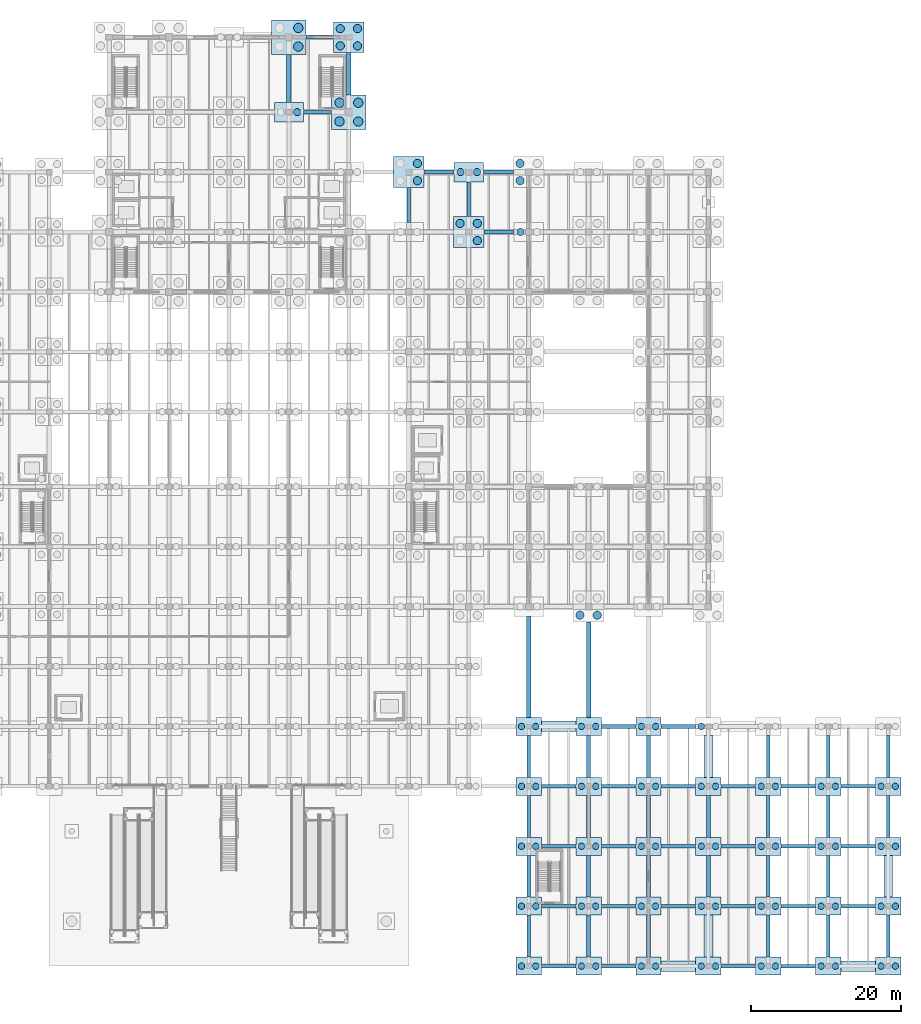
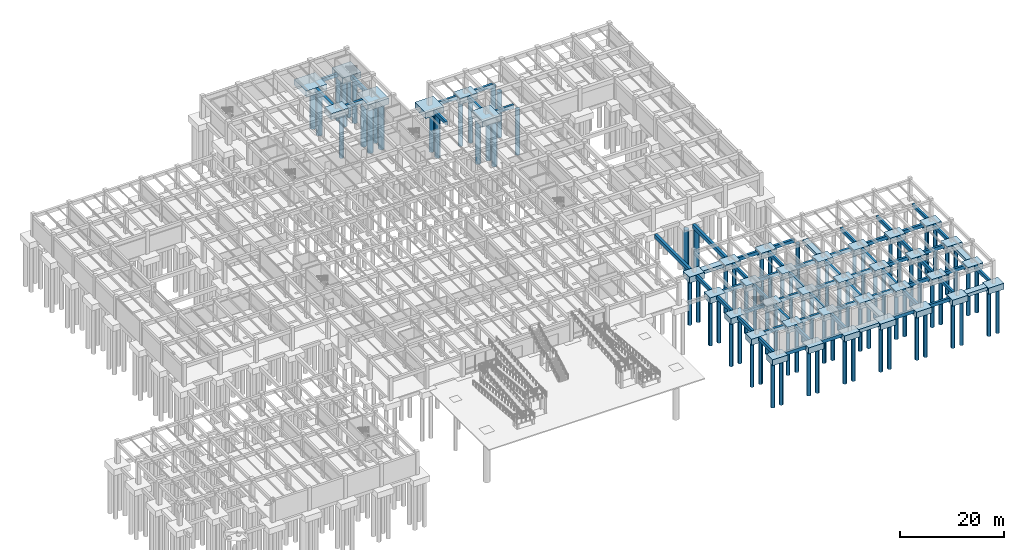
# One storey, part 7 of 44: 104 footings, 86 piles.
"""IFC4 building model written with IfcOpenShell, lengths in metres."""

from ifc_helpers import new_model, si_unit, direction, frame, origin, origin_2d, place, context, subcontext, project, spatial, rectangle, circle, extrude, material, material_profile, profile_set, type_object, element, save


model = new_model("IFC4")

# Units and contexts
model_context = context("Model", 3, precision=1e-05, world=origin(), true_north=direction((0.0, 1.0)))
body_context = subcontext(model_context, "Body", "Model", "MODEL_VIEW")
ifc_project = project(units=[si_unit("LENGTHUNIT", "METRE"), si_unit("AREAUNIT", "SQUARE_METRE"), si_unit("VOLUMEUNIT", "CUBIC_METRE"), si_unit("PLANEANGLEUNIT", "RADIAN"), si_unit("MASSUNIT", "GRAM", prefix="KILO")], contexts=[model_context])

# Site, building, storey
site_placement = place(None, origin())
site = spatial("IfcSite", under=ifc_project, at=site_placement, CompositionType="ELEMENT")
building_placement = place(site_placement, origin())
building = spatial("IfcBuilding", under=site, at=building_placement, Name="Pecanmere Concourse Central Library", CompositionType="ELEMENT")
storey_placement = place(building_placement, frame((0.0, 0.0, -5.39990234375)))
storey = spatial("IfcBuildingStorey", under=building, at=storey_placement, Name="B1", CompositionType="ELEMENT", Elevation=-5.39990234375)

# Footings
ifc_material_1 = material(Name="Concrete C40/50", Category="concrete")
ifc_material_profile_1 = material_profile(ifc_material_1, rectangle(XDim=0.5, YDim=0.800048828125, at=origin_2d()), Name="RC 500x800")
ifc_profile_set_1 = profile_set([ifc_material_profile_1], Name="Concrete C40/50")
footing_type_1 = type_object("IfcFootingType", Name="GBEAM_500x800", PredefinedType="FOOTING_BEAM", material=ifc_profile_set_1)
for number, where, z_axis, x_axis, name in (
    (1, (132.0, 0.0, -0.80029296875), (0.0, 0.0, 1.0), (1.0, 0.0, 0.0), "Foundation Tie Beam X-007"),
    (2, (140.0, 0.0, -0.80029296875), (0.0, 0.0, 1.0), (1.0, 0.0, 0.0), "Foundation Tie Beam X-008"),
    (3, (156.0, 0.0, -0.80029296875), (0.0, 0.0, 1.0), (1.0, 0.0, 0.0), "Foundation Tie Beam X-010"),
    (4, (164.0, 0.0, -0.80029296875), (0.0, 0.0, 1.0), (1.0, 0.0, 0.0), "Foundation Tie Beam X-011"),
    (5, (132.0, 8.0, -0.80029296875), (0.0, 0.0, 1.0), (1.0, 0.0, 0.0), "Foundation Tie Beam X-019"),
    (6, (140.0, 8.0, -0.80029296875), (0.0, 0.0, 1.0), (1.0, 0.0, 0.0), "Foundation Tie Beam X-020"),
    (7, (148.0, 8.0, -0.80029296875), (0.0, 0.0, 1.0), (1.0, 0.0, 0.0), "Foundation Tie Beam X-021"),
    (8, (156.0, 8.0, -0.80029296875), (0.0, 0.0, 1.0), (1.0, 0.0, 0.0), "Foundation Tie Beam X-022"),
    (9, (164.0, 8.0, -0.80029296875), (0.0, 0.0, 1.0), (1.0, 0.0, 0.0), "Foundation Tie Beam X-023"),
    (10, (172.0, 8.0, -0.80029296875), (0.0, 0.0, 1.0), (1.0, 0.0, 0.0), "Foundation Tie Beam X-024"),
    (11, (132.0, 16.0, -0.80029296875), (0.0, 0.0, 1.0), (1.0, 0.0, 0.0), "Foundation Tie Beam X-031"),
    (12, (140.0, 16.0, -0.80029296875), (0.0, 0.0, 1.0), (1.0, 0.0, 0.0), "Foundation Tie Beam X-032"),
    (13, (148.0, 16.0, -0.80029296875), (0.0, 0.0, 1.0), (1.0, 0.0, 0.0), "Foundation Tie Beam X-033"),
    (14, (156.0, 16.0, -0.80029296875), (0.0, 0.0, 1.0), (1.0, 0.0, 0.0), "Foundation Tie Beam X-034"),
    (15, (164.0, 16.0, -0.80029296875), (0.0, 0.0, 1.0), (1.0, 0.0, 0.0), "Foundation Tie Beam X-035"),
    (16, (172.0, 16.0, -0.80029296875), (0.0, 0.0, 1.0), (1.0, 0.0, 0.0), "Foundation Tie Beam X-036"),
    (17, (132.0, 24.0, -0.80029296875), (0.0, 0.0, 1.0), (1.0, 0.0, 0.0), "Foundation Tie Beam X-053"),
    (18, (140.0, 24.0, -0.80029296875), (0.0, 0.0, 1.0), (1.0, 0.0, 0.0), "Foundation Tie Beam X-054"),
    (19, (148.0, 24.0, -0.80029296875), (0.0, 0.0, 1.0), (1.0, 0.0, 0.0), "Foundation Tie Beam X-055"),
    (20, (156.0, 24.0, -0.80029296875), (0.0, 0.0, 1.0), (1.0, 0.0, 0.0), "Foundation Tie Beam X-056"),
    (21, (164.0, 24.0, -0.80029296875), (0.0, 0.0, 1.0), (1.0, 0.0, 0.0), "Foundation Tie Beam X-057"),
    (22, (172.0, 24.0, -0.80029296875), (0.0, 0.0, 1.0), (1.0, 0.0, 0.0), "Foundation Tie Beam X-058"),
    (23, (140.0, 32.0, -0.80029296875), (0.0, 0.0, 1.0), (1.0, 0.0, 0.0), "Foundation Tie Beam X-076"),
    (24, (148.0, 32.0, -0.80029296875), (0.0, 0.0, 1.0), (1.0, 0.0, 0.0), "Foundation Tie Beam X-077"),
):
    element("IfcFooting", number, at=place(storey_placement, frame(where, z_axis=z_axis, x_axis=x_axis)), inside=storey, type_object=footing_type_1, Name=name, PredefinedType="FOOTING_BEAM", context=body_context, shape_type="SweptSolid", body=[
        extrude(rectangle(XDim=4.60009765625, YDim=0.5, at=origin_2d()), origin(), (0.0, 0.0, 1.0), 0.800048828125),
    ])
for number, where, z_axis, x_axis, name in (
    (25, (124.050048828125, 98.0, -0.80029296875), (0.0, 0.0, 1.0), (1.0, 0.0, 0.0), "Foundation Tie Beam X-193"),
    (26, (116.050048828125, 106.0, -0.80029296875), (0.0, 0.0, 1.0), (1.0, 0.0, 0.0), "Foundation Tie Beam X-208"),
    (27, (123.949951171875, 106.0, -0.80029296875), (0.0, 0.0, 1.0), (1.0, 0.0, 0.0), "Foundation Tie Beam X-209"),
):
    element("IfcFooting", number, at=place(storey_placement, frame(where, z_axis=z_axis, x_axis=x_axis)), inside=storey, type_object=footing_type_1, Name=name, PredefinedType="FOOTING_BEAM", context=body_context, shape_type="SweptSolid", body=[
        extrude(rectangle(XDim=4.0, YDim=0.5, at=origin_2d()), origin(), (0.0, 0.0, 1.0), 0.800048828125),
    ])
footing_1_placement = place(storey_placement, frame((99.824951171875, 114.0, -0.80029296875), z_axis=(0.0, 0.0, 1.0), x_axis=(1.0, 0.0, 0.0)))
element("IfcFooting", 28, at=footing_1_placement, inside=storey, type_object=footing_type_1, Name="Foundation Tie Beam X-216", PredefinedType="FOOTING_BEAM", context=body_context, shape_type="SweptSolid", body=[
    extrude(rectangle(XDim=3.75, YDim=0.5, at=origin_2d()), origin(), (0.0, 0.0, 1.0), 0.800048828125),
])
footing_2_placement = place(storey_placement, frame((100.125, 124.0, -0.80029296875), z_axis=(0.0, 0.0, 1.0), x_axis=(1.0, 0.0, 0.0)))
element("IfcFooting", 29, at=footing_2_placement, inside=storey, type_object=footing_type_1, Name="Foundation Tie Beam X-220", PredefinedType="FOOTING_BEAM", context=body_context, shape_type="SweptSolid", body=[
    extrude(rectangle(XDim=3.64990234375, YDim=0.5, at=origin_2d()), origin(), (0.0, 0.0, 1.0), 0.800048828125),
])
for number, where, z_axis, x_axis, name in (
    (30, (112.0, 101.625, -0.80029296875), (0.0, 0.0, 1.0), (0.0, 1.0, 0.0), "Foundation Tie Beam Y-367"),
    (31, (120.0, 102.375, -0.80029296875), (0.0, 0.0, 1.0), (0.0, 1.0, 0.0), "Foundation Tie Beam Y-377"),
):
    element("IfcFooting", number, at=place(storey_placement, frame(where, z_axis=z_axis, x_axis=x_axis)), inside=storey, type_object=footing_type_1, Name=name, PredefinedType="FOOTING_BEAM", context=body_context, shape_type="SweptSolid", body=[
        extrude(rectangle(XDim=4.64990234375, YDim=0.5, at=origin_2d()), origin(), (0.0, 0.0, 1.0), 0.800048828125),
    ])
for number, where, z_axis, x_axis, name in (
    (32, (128.0, 4.0, -0.80029296875), (0.0, 0.0, 1.0), (0.0, 1.0, 0.0), "Foundation Tie Beam Y-378"),
    (33, (128.0, 12.0, -0.80029296875), (0.0, 0.0, 1.0), (0.0, 1.0, 0.0), "Foundation Tie Beam Y-379"),
    (34, (128.0, 20.0, -0.80029296875), (0.0, 0.0, 1.0), (0.0, 1.0, 0.0), "Foundation Tie Beam Y-380"),
    (35, (128.0, 28.0, -0.80029296875), (0.0, 0.0, 1.0), (0.0, 1.0, 0.0), "Foundation Tie Beam Y-381"),
    (36, (136.0, 4.0, -0.80029296875), (0.0, 0.0, 1.0), (0.0, 1.0, 0.0), "Foundation Tie Beam Y-390"),
    (37, (136.0, 12.0, -0.80029296875), (0.0, 0.0, 1.0), (0.0, 1.0, 0.0), "Foundation Tie Beam Y-391"),
    (38, (136.0, 20.0, -0.80029296875), (0.0, 0.0, 1.0), (0.0, 1.0, 0.0), "Foundation Tie Beam Y-392"),
    (39, (136.0, 28.0, -0.80029296875), (0.0, 0.0, 1.0), (0.0, 1.0, 0.0), "Foundation Tie Beam Y-393"),
    (40, (144.0, 4.0, -0.80029296875), (0.0, 0.0, 1.0), (0.0, 1.0, 0.0), "Foundation Tie Beam Y-399"),
    (41, (144.0, 12.0, -0.80029296875), (0.0, 0.0, 1.0), (0.0, 1.0, 0.0), "Foundation Tie Beam Y-400"),
    (42, (144.0, 20.0, -0.80029296875), (0.0, 0.0, 1.0), (0.0, 1.0, 0.0), "Foundation Tie Beam Y-401"),
    (43, (144.0, 28.0, -0.80029296875), (0.0, 0.0, 1.0), (0.0, 1.0, 0.0), "Foundation Tie Beam Y-402"),
    (44, (152.0, 12.0, -0.80029296875), (0.0, 0.0, 1.0), (0.0, 1.0, 0.0), "Foundation Tie Beam Y-412"),
    (45, (152.0, 20.0, -0.80029296875), (0.0, 0.0, 1.0), (0.0, 1.0, 0.0), "Foundation Tie Beam Y-413"),
    (46, (160.0, 4.0, -0.80029296875), (0.0, 0.0, 1.0), (0.0, 1.0, 0.0), "Foundation Tie Beam Y-423"),
    (47, (160.0, 12.0, -0.80029296875), (0.0, 0.0, 1.0), (0.0, 1.0, 0.0), "Foundation Tie Beam Y-424"),
    (48, (160.0, 20.0, -0.80029296875), (0.0, 0.0, 1.0), (0.0, 1.0, 0.0), "Foundation Tie Beam Y-425"),
    (49, (160.0, 28.0, -0.80029296875), (0.0, 0.0, 1.0), (0.0, 1.0, 0.0), "Foundation Tie Beam Y-426"),
    (50, (168.0, 4.0, -0.80029296875), (0.0, 0.0, 1.0), (0.0, 1.0, 0.0), "Foundation Tie Beam Y-427"),
    (51, (168.0, 12.0, -0.80029296875), (0.0, 0.0, 1.0), (0.0, 1.0, 0.0), "Foundation Tie Beam Y-428"),
    (52, (168.0, 20.0, -0.80029296875), (0.0, 0.0, 1.0), (0.0, 1.0, 0.0), "Foundation Tie Beam Y-429"),
    (53, (168.0, 28.0, -0.80029296875), (0.0, 0.0, 1.0), (0.0, 1.0, 0.0), "Foundation Tie Beam Y-430"),
    (54, (176.0, 4.0, -0.80029296875), (0.0, 0.0, 1.0), (0.0, 1.0, 0.0), "Foundation Tie Beam Y-431"),
    (55, (176.0, 20.0, -0.80029296875), (0.0, 0.0, 1.0), (0.0, 1.0, 0.0), "Foundation Tie Beam Y-433"),
    (56, (176.0, 28.0, -0.80029296875), (0.0, 0.0, 1.0), (0.0, 1.0, 0.0), "Foundation Tie Beam Y-434"),
):
    element("IfcFooting", number, at=place(storey_placement, frame(where, z_axis=z_axis, x_axis=x_axis)), inside=storey, type_object=footing_type_1, Name=name, PredefinedType="FOOTING_BEAM", context=body_context, shape_type="SweptSolid", body=[
        extrude(rectangle(XDim=5.60009765625, YDim=0.5, at=origin_2d()), origin(), (0.0, 0.0, 1.0), 0.800048828125),
    ])
ifc_material_2 = material(Name="Concrete C40/50", Category="concrete")
ifc_material_profile_2 = material_profile(ifc_material_2, rectangle(XDim=0.60009765625, YDim=0.89990234375, at=origin_2d()), Name="RC 600x900")
ifc_profile_set_2 = profile_set([ifc_material_profile_2], Name="Concrete C40/50")
footing_type_2 = type_object("IfcFootingType", Name="GBEAM_600x900", PredefinedType="FOOTING_BEAM", material=ifc_profile_set_2)
footing_3_placement = place(storey_placement, frame((96.0, 118.5, -0.900146484375), z_axis=(0.0, 0.0, 1.0), x_axis=(0.0, 1.0, 0.0)))
element("IfcFooting", 57, at=footing_3_placement, inside=storey, type_object=footing_type_2, Name="Foundation Tie Beam Y-345", PredefinedType="FOOTING_BEAM", context=body_context, shape_type="SweptSolid", body=[
    extrude(rectangle(XDim=6.39990234375, YDim=0.60009765625, at=origin_2d()), origin(), (0.0, 0.0, 1.0), 0.89990234375),
])
footing_4_placement = place(storey_placement, frame((104.0, 119.125, -0.900146484375), z_axis=(0.0, 0.0, 1.0), x_axis=(0.0, 1.0, 0.0)))
element("IfcFooting", 58, at=footing_4_placement, inside=storey, type_object=footing_type_2, Name="Foundation Tie Beam Y-357", PredefinedType="FOOTING_BEAM", context=body_context, shape_type="SweptSolid", body=[
    extrude(rectangle(XDim=5.64990234375, YDim=0.60009765625, at=origin_2d()), origin(), (0.0, 0.0, 1.0), 0.89990234375),
])
footing_5_placement = place(storey_placement, frame((128.0, 39.949951171875, -0.900146484375), z_axis=(0.0, 0.0, 1.0), x_axis=(0.0, 1.0, 0.0)))
element("IfcFooting", 59, at=footing_5_placement, inside=storey, type_object=footing_type_2, Name="Foundation Tie Beam Y-382", PredefinedType="FOOTING_BEAM", context=body_context, shape_type="SweptSolid", body=[
    extrude(rectangle(XDim=13.5, YDim=0.60009765625, at=origin_2d()), origin(), (0.0, 0.0, 1.0), 0.89990234375),
])
footing_6_placement = place(storey_placement, frame((136.0, 39.574951171875, -0.900146484375), z_axis=(0.0, 0.0, 1.0), x_axis=(0.0, 1.0, 0.0)))
element("IfcFooting", 60, at=footing_6_placement, inside=storey, type_object=footing_type_2, Name="Foundation Tie Beam Y-394", PredefinedType="FOOTING_BEAM", context=body_context, shape_type="SweptSolid", body=[
    extrude(rectangle(XDim=12.75, YDim=0.60009765625, at=origin_2d()), origin(), (0.0, 0.0, 1.0), 0.89990234375),
])
ifc_material_3 = material(Name="Concrete C40/50", Category="concrete")
footing_type_3 = type_object("IfcFootingType", Name="PCAP_3400x2400", PredefinedType="PILE_CAP", material=ifc_material_3)
for number, where, z_axis, x_axis, name in (
    (61, (128.0, 0.0, -1.400146484375), (0.0, 0.0, 1.0), (1.0, 0.0, 0.0), "Drilled Pier Cap PC-05 at (128,0)"),
    (62, (128.0, 8.0, -1.400146484375), (0.0, 0.0, 1.0), (1.0, 0.0, 0.0), "Drilled Pier Cap PC-05 at (128,8)"),
    (63, (128.0, 16.0, -1.400146484375), (0.0, 0.0, 1.0), (1.0, 0.0, 0.0), "Drilled Pier Cap PC-05 at (128,16)"),
    (64, (128.0, 24.0, -1.400146484375), (0.0, 0.0, 1.0), (1.0, 0.0, 0.0), "Drilled Pier Cap PC-05 at (128,24)"),
    (65, (128.0, 32.0, -1.400146484375), (0.0, 0.0, 1.0), (1.0, 0.0, 0.0), "Drilled Pier Cap PC-05 at (128,32)"),
    (66, (136.0, 0.0, -1.400146484375), (0.0, 0.0, 1.0), (1.0, 0.0, 0.0), "Drilled Pier Cap PC-05 at (136,0)"),
    (67, (136.0, 8.0, -1.400146484375), (0.0, 0.0, 1.0), (1.0, 0.0, 0.0), "Drilled Pier Cap PC-05 at (136,8)"),
    (68, (136.0, 16.0, -1.400146484375), (0.0, 0.0, 1.0), (1.0, 0.0, 0.0), "Drilled Pier Cap PC-05 at (136,16)"),
    (69, (136.0, 24.0, -1.400146484375), (0.0, 0.0, 1.0), (1.0, 0.0, 0.0), "Drilled Pier Cap PC-05 at (136,24)"),
    (70, (136.0, 32.0, -1.400146484375), (0.0, 0.0, 1.0), (1.0, 0.0, 0.0), "Drilled Pier Cap PC-05 at (136,32)"),
    (71, (144.0, 0.0, -1.400146484375), (0.0, 0.0, 1.0), (1.0, 0.0, 0.0), "Drilled Pier Cap PC-05 at (144,0)"),
    (72, (144.0, 8.0, -1.400146484375), (0.0, 0.0, 1.0), (1.0, 0.0, 0.0), "Drilled Pier Cap PC-05 at (144,8)"),
    (73, (144.0, 16.0, -1.400146484375), (0.0, 0.0, 1.0), (1.0, 0.0, 0.0), "Drilled Pier Cap PC-05 at (144,16)"),
    (74, (144.0, 24.0, -1.400146484375), (0.0, 0.0, 1.0), (1.0, 0.0, 0.0), "Drilled Pier Cap PC-05 at (144,24)"),
    (75, (144.0, 32.0, -1.400146484375), (0.0, 0.0, 1.0), (1.0, 0.0, 0.0), "Drilled Pier Cap PC-05 at (144,32)"),
    (76, (152.0, 0.0, -1.400146484375), (0.0, 0.0, 1.0), (1.0, 0.0, 0.0), "Drilled Pier Cap PC-05 at (152,0)"),
    (77, (152.0, 8.0, -1.400146484375), (0.0, 0.0, 1.0), (1.0, 0.0, 0.0), "Drilled Pier Cap PC-05 at (152,8)"),
    (78, (152.0, 16.0, -1.400146484375), (0.0, 0.0, 1.0), (1.0, 0.0, 0.0), "Drilled Pier Cap PC-05 at (152,16)"),
    (79, (152.0, 24.0, -1.400146484375), (0.0, 0.0, 1.0), (1.0, 0.0, 0.0), "Drilled Pier Cap PC-05 at (152,24)"),
    (80, (160.0, 0.0, -1.400146484375), (0.0, 0.0, 1.0), (1.0, 0.0, 0.0), "Drilled Pier Cap PC-05 at (160,0)"),
    (81, (160.0, 8.0, -1.400146484375), (0.0, 0.0, 1.0), (1.0, 0.0, 0.0), "Drilled Pier Cap PC-05 at (160,8)"),
    (82, (160.0, 16.0, -1.400146484375), (0.0, 0.0, 1.0), (1.0, 0.0, 0.0), "Drilled Pier Cap PC-05 at (160,16)"),
    (83, (160.0, 24.0, -1.400146484375), (0.0, 0.0, 1.0), (1.0, 0.0, 0.0), "Drilled Pier Cap PC-05 at (160,24)"),
    (84, (168.0, 0.0, -1.400146484375), (0.0, 0.0, 1.0), (1.0, 0.0, 0.0), "Drilled Pier Cap PC-05 at (168,0)"),
    (85, (168.0, 8.0, -1.400146484375), (0.0, 0.0, 1.0), (1.0, 0.0, 0.0), "Drilled Pier Cap PC-05 at (168,8)"),
    (86, (168.0, 16.0, -1.400146484375), (0.0, 0.0, 1.0), (1.0, 0.0, 0.0), "Drilled Pier Cap PC-05 at (168,16)"),
    (87, (168.0, 24.0, -1.400146484375), (0.0, 0.0, 1.0), (1.0, 0.0, 0.0), "Drilled Pier Cap PC-05 at (168,24)"),
    (88, (176.0, 0.0, -1.400146484375), (0.0, 0.0, 1.0), (1.0, 0.0, 0.0), "Drilled Pier Cap PC-05 at (176,0)"),
    (89, (176.0, 8.0, -1.400146484375), (0.0, 0.0, 1.0), (1.0, 0.0, 0.0), "Drilled Pier Cap PC-05 at (176,8)"),
    (90, (176.0, 16.0, -1.400146484375), (0.0, 0.0, 1.0), (1.0, 0.0, 0.0), "Drilled Pier Cap PC-05 at (176,16)"),
    (91, (176.0, 24.0, -1.400146484375), (0.0, 0.0, 1.0), (1.0, 0.0, 0.0), "Drilled Pier Cap PC-05 at (176,24)"),
):
    element("IfcFooting", number, at=place(storey_placement, frame(where, z_axis=z_axis, x_axis=x_axis)), inside=storey, type_object=footing_type_3, Name=name, PredefinedType="PILE_CAP", context=body_context, shape_type="SweptSolid", body=[
        extrude(rectangle(XDim=3.39990234375, YDim=2.39990234375, at=origin_2d()), origin(), (0.0, 0.0, 1.0), 1.39990234375),
    ])
ifc_material_4 = material(Name="Concrete C40/50", Category="concrete")
footing_type_4 = type_object("IfcFootingType", Name="PCAP_3900x2600", PredefinedType="PILE_CAP", material=ifc_material_4)
for number, where, z_axis, x_axis, name in (
    (92, (96.0, 114.0, -1.400146484375), (0.0, 0.0, 1.0), (1.0, 0.0, 0.0), "Drilled Pier Cap PC-04 at (96,114)"),
    (93, (120.0, 106.0, -1.400146484375), (0.0, 0.0, 1.0), (1.0, 0.0, 0.0), "Drilled Pier Cap PC-04 at (120,106)"),
):
    element("IfcFooting", number, at=place(storey_placement, frame(where, z_axis=z_axis, x_axis=x_axis)), inside=storey, type_object=footing_type_4, Name=name, PredefinedType="PILE_CAP", context=body_context, shape_type="SweptSolid", body=[
        extrude(rectangle(XDim=3.89990234375, YDim=2.60009765625, at=origin_2d()), origin(), (0.0, 0.0, 1.0), 1.39990234375),
    ])
ifc_material_5 = material(Name="Concrete C40/50", Category="concrete")
footing_type_5 = type_object("IfcFootingType", Name="PCAP_4100x4100", PredefinedType="PILE_CAP", material=ifc_material_5)
for number, where, z_axis, x_axis, name in (
    (94, (104.0, 124.0, -1.400146484375), (0.0, 0.0, 1.0), (1.0, 0.0, 0.0), "Drilled Pier Cap PC-02 at (104,124)"),
    (95, (112.0, 106.0, -1.400146484375), (0.0, 0.0, 1.0), (1.0, 0.0, 0.0), "Drilled Pier Cap PC-02 at (112,106)"),
    (96, (120.0, 98.0, -1.400146484375), (0.0, 0.0, 1.0), (1.0, 0.0, 0.0), "Drilled Pier Cap PC-02 at (120,98)"),
):
    element("IfcFooting", number, at=place(storey_placement, frame(where, z_axis=z_axis, x_axis=x_axis)), inside=storey, type_object=footing_type_5, Name=name, PredefinedType="PILE_CAP", context=body_context, shape_type="SweptSolid", body=[
        extrude(rectangle(XDim=4.10009765625, YDim=4.10009765625, at=origin_2d()), origin(), (0.0, 0.0, 1.0), 1.39990234375),
    ])
ifc_material_6 = material(Name="Concrete C40/50", Category="concrete")
footing_type_6 = type_object("IfcFootingType", Name="PCAP_4600x4600", PredefinedType="PILE_CAP", material=ifc_material_6)
for number, where, z_axis, x_axis, name in (
    (97, (96.0, 124.0, -1.400146484375), (0.0, 0.0, 1.0), (1.0, 0.0, 0.0), "Drilled Pier Cap PC-01 at (96,124)"),
    (98, (104.0, 114.0, -1.400146484375), (0.0, 0.0, 1.0), (1.0, 0.0, 0.0), "Drilled Pier Cap PC-01 at (104,114)"),
):
    element("IfcFooting", number, at=place(storey_placement, frame(where, z_axis=z_axis, x_axis=x_axis)), inside=storey, type_object=footing_type_6, Name=name, PredefinedType="PILE_CAP", context=body_context, shape_type="SweptSolid", body=[
        extrude(rectangle(XDim=4.60009765625, YDim=4.60009765625, at=origin_2d()), origin(), (0.0, 0.0, 1.0), 1.39990234375),
    ])

# Piles
ifc_material_7 = material(Name="Concrete C35/45", Category="concrete")
ifc_material_profile_3 = material_profile(ifc_material_7, circle(Radius=0.550048828125, at=origin_2d()), Name="PIER D1100")
ifc_profile_set_3 = profile_set([ifc_material_profile_3], Name="Concrete C35/45")
pile_type_1 = type_object("IfcPileType", Name="PILE_D1100", PredefinedType="BORED", material=ifc_profile_set_3)
for number, where, z_axis, x_axis, name in (
    (99, (102.85009765625, 122.85009765625, -1.300048828125), (0.0, 0.0, -1.0), (1.0, 0.0, 0.0), "Bored Pier PL-03 152.1"),
    (100, (105.14990234375, 122.85009765625, -1.300048828125), (0.0, 0.0, -1.0), (1.0, 0.0, 0.0), "Bored Pier PL-03 152.2"),
    (101, (102.85009765625, 125.14990234375, -1.300048828125), (0.0, 0.0, -1.0), (1.0, 0.0, 0.0), "Bored Pier PL-03 152.3"),
    (102, (105.14990234375, 125.14990234375, -1.300048828125), (0.0, 0.0, -1.0), (1.0, 0.0, 0.0), "Bored Pier PL-03 152.4"),
    (103, (113.14990234375, 104.85009765625, -1.300048828125), (0.0, 0.0, -1.0), (1.0, 0.0, 0.0), "Bored Pier PL-03 163.2"),
    (104, (113.14990234375, 107.14990234375, -1.300048828125), (0.0, 0.0, -1.0), (1.0, 0.0, 0.0), "Bored Pier PL-03 163.4"),
    (105, (121.14990234375, 96.85009765625, -1.300048828125), (0.0, 0.0, -1.0), (1.0, 0.0, 0.0), "Bored Pier PL-03 173.2"),
    (106, (118.85009765625, 99.14990234375, -1.300048828125), (0.0, 0.0, -1.0), (1.0, 0.0, 0.0), "Bored Pier PL-03 173.3"),
    (107, (121.14990234375, 99.14990234375, -1.300048828125), (0.0, 0.0, -1.0), (1.0, 0.0, 0.0), "Bored Pier PL-03 173.4"),
    (108, (126.85009765625, 104.85009765625, -1.300048828125), (0.0, 0.0, -1.0), (1.0, 0.0, 0.0), "Bored Pier PL-03 187.1"),
    (109, (126.85009765625, 107.14990234375, -1.300048828125), (0.0, 0.0, -1.0), (1.0, 0.0, 0.0), "Bored Pier PL-03 187.3"),
    (110, (134.85009765625, 46.85009765625, -1.300048828125), (0.0, 0.0, -1.0), (1.0, 0.0, 0.0), "Bored Pier PL-03 193.1"),
    (111, (137.14990234375, 46.85009765625, -1.300048828125), (0.0, 0.0, -1.0), (1.0, 0.0, 0.0), "Bored Pier PL-03 193.2"),
):
    element("IfcPile", number, at=place(storey_placement, frame(where, z_axis=z_axis, x_axis=x_axis)), inside=storey, type_object=pile_type_1, Name=name, PredefinedType="BORED", context=body_context, shape_type="SweptSolid", body=[
        extrude(circle(Radius=0.550048828125, at=origin_2d()), origin(), (0.0, 0.0, 1.0), 10.699951171875),
    ])
ifc_material_8 = material(Name="Concrete C35/45", Category="concrete")
ifc_material_profile_4 = material_profile(ifc_material_8, circle(Radius=0.625, at=origin_2d()), Name="PIER D1250")
ifc_profile_set_4 = profile_set([ifc_material_profile_4], Name="Concrete C35/45")
pile_type_2 = type_object("IfcPileType", Name="PILE_D1250", PredefinedType="BORED", material=ifc_profile_set_4)
for number, where, z_axis, x_axis, name in (
    (112, (97.25, 122.75, -1.300048828125), (0.0, 0.0, -1.0), (1.0, 0.0, 0.0), "Bored Pier PL-02 139.2"),
    (113, (97.25, 125.25, -1.300048828125), (0.0, 0.0, -1.0), (1.0, 0.0, 0.0), "Bored Pier PL-02 139.4"),
    (114, (102.75, 112.75, -1.300048828125), (0.0, 0.0, -1.0), (1.0, 0.0, 0.0), "Bored Pier PL-02 151.1"),
    (115, (105.25, 112.75, -1.300048828125), (0.0, 0.0, -1.0), (1.0, 0.0, 0.0), "Bored Pier PL-02 151.2"),
    (116, (102.75, 115.25, -1.300048828125), (0.0, 0.0, -1.0), (1.0, 0.0, 0.0), "Bored Pier PL-02 151.3"),
    (117, (105.25, 115.25, -1.300048828125), (0.0, 0.0, -1.0), (1.0, 0.0, 0.0), "Bored Pier PL-02 151.4"),
):
    element("IfcPile", number, at=place(storey_placement, frame(where, z_axis=z_axis, x_axis=x_axis)), inside=storey, type_object=pile_type_2, Name=name, PredefinedType="BORED", context=body_context, shape_type="SweptSolid", body=[
        extrude(circle(Radius=0.625, at=origin_2d()), origin(), (0.0, 0.0, 1.0), 10.699951171875),
    ])
ifc_material_9 = material(Name="Concrete C35/45", Category="concrete")
ifc_material_profile_5 = material_profile(ifc_material_9, circle(Radius=0.425048828125, at=origin_2d()), Name="PIER D850")
ifc_profile_set_5 = profile_set([ifc_material_profile_5], Name="Concrete C35/45")
pile_type_3 = type_object("IfcPileType", Name="PILE_D850", PredefinedType="BORED", material=ifc_profile_set_5)
for number, where, z_axis, x_axis, name in (
    (118, (127.050048828125, 0.0, -1.300048828125), (0.0, 0.0, -1.0), (1.0, 0.0, 0.0), "Bored Pier PL-05 175.1"),
    (119, (128.949951171875, 0.0, -1.300048828125), (0.0, 0.0, -1.0), (1.0, 0.0, 0.0), "Bored Pier PL-05 175.2"),
    (120, (127.050048828125, 8.0, -1.300048828125), (0.0, 0.0, -1.0), (1.0, 0.0, 0.0), "Bored Pier PL-05 176.1"),
    (121, (128.949951171875, 8.0, -1.300048828125), (0.0, 0.0, -1.0), (1.0, 0.0, 0.0), "Bored Pier PL-05 176.2"),
    (122, (127.050048828125, 16.0, -1.300048828125), (0.0, 0.0, -1.0), (1.0, 0.0, 0.0), "Bored Pier PL-05 177.1"),
    (123, (128.949951171875, 16.0, -1.300048828125), (0.0, 0.0, -1.0), (1.0, 0.0, 0.0), "Bored Pier PL-05 177.2"),
    (124, (127.050048828125, 24.0, -1.300048828125), (0.0, 0.0, -1.0), (1.0, 0.0, 0.0), "Bored Pier PL-05 178.1"),
    (125, (128.949951171875, 24.0, -1.300048828125), (0.0, 0.0, -1.0), (1.0, 0.0, 0.0), "Bored Pier PL-05 178.2"),
    (126, (127.050048828125, 32.0, -1.300048828125), (0.0, 0.0, -1.0), (1.0, 0.0, 0.0), "Bored Pier PL-05 179.1"),
    (127, (128.949951171875, 32.0, -1.300048828125), (0.0, 0.0, -1.0), (1.0, 0.0, 0.0), "Bored Pier PL-05 179.2"),
    (128, (135.050048828125, 0.0, -1.300048828125), (0.0, 0.0, -1.0), (1.0, 0.0, 0.0), "Bored Pier PL-05 188.1"),
    (129, (136.949951171875, 0.0, -1.300048828125), (0.0, 0.0, -1.0), (1.0, 0.0, 0.0), "Bored Pier PL-05 188.2"),
    (130, (135.050048828125, 8.0, -1.300048828125), (0.0, 0.0, -1.0), (1.0, 0.0, 0.0), "Bored Pier PL-05 189.1"),
    (131, (136.949951171875, 8.0, -1.300048828125), (0.0, 0.0, -1.0), (1.0, 0.0, 0.0), "Bored Pier PL-05 189.2"),
    (132, (135.050048828125, 16.0, -1.300048828125), (0.0, 0.0, -1.0), (1.0, 0.0, 0.0), "Bored Pier PL-05 190.1"),
    (133, (136.949951171875, 16.0, -1.300048828125), (0.0, 0.0, -1.0), (1.0, 0.0, 0.0), "Bored Pier PL-05 190.2"),
    (134, (135.050048828125, 24.0, -1.300048828125), (0.0, 0.0, -1.0), (1.0, 0.0, 0.0), "Bored Pier PL-05 191.1"),
    (135, (136.949951171875, 24.0, -1.300048828125), (0.0, 0.0, -1.0), (1.0, 0.0, 0.0), "Bored Pier PL-05 191.2"),
    (136, (135.050048828125, 32.0, -1.300048828125), (0.0, 0.0, -1.0), (1.0, 0.0, 0.0), "Bored Pier PL-05 192.1"),
    (137, (136.949951171875, 32.0, -1.300048828125), (0.0, 0.0, -1.0), (1.0, 0.0, 0.0), "Bored Pier PL-05 192.2"),
    (138, (143.050048828125, 0.0, -1.300048828125), (0.0, 0.0, -1.0), (1.0, 0.0, 0.0), "Bored Pier PL-05 199.1"),
    (139, (144.949951171875, 0.0, -1.300048828125), (0.0, 0.0, -1.0), (1.0, 0.0, 0.0), "Bored Pier PL-05 199.2"),
    (140, (143.050048828125, 8.0, -1.300048828125), (0.0, 0.0, -1.0), (1.0, 0.0, 0.0), "Bored Pier PL-05 200.1"),
    (141, (144.949951171875, 8.0, -1.300048828125), (0.0, 0.0, -1.0), (1.0, 0.0, 0.0), "Bored Pier PL-05 200.2"),
    (142, (143.050048828125, 16.0, -1.300048828125), (0.0, 0.0, -1.0), (1.0, 0.0, 0.0), "Bored Pier PL-05 201.1"),
    (143, (144.949951171875, 16.0, -1.300048828125), (0.0, 0.0, -1.0), (1.0, 0.0, 0.0), "Bored Pier PL-05 201.2"),
    (144, (143.050048828125, 24.0, -1.300048828125), (0.0, 0.0, -1.0), (1.0, 0.0, 0.0), "Bored Pier PL-05 202.1"),
    (145, (144.949951171875, 24.0, -1.300048828125), (0.0, 0.0, -1.0), (1.0, 0.0, 0.0), "Bored Pier PL-05 202.2"),
    (146, (143.050048828125, 32.0, -1.300048828125), (0.0, 0.0, -1.0), (1.0, 0.0, 0.0), "Bored Pier PL-05 203.1"),
    (147, (144.949951171875, 32.0, -1.300048828125), (0.0, 0.0, -1.0), (1.0, 0.0, 0.0), "Bored Pier PL-05 203.2"),
    (148, (151.050048828125, 0.0, -1.300048828125), (0.0, 0.0, -1.0), (1.0, 0.0, 0.0), "Bored Pier PL-05 212.1"),
    (149, (152.949951171875, 0.0, -1.300048828125), (0.0, 0.0, -1.0), (1.0, 0.0, 0.0), "Bored Pier PL-05 212.2"),
    (150, (151.050048828125, 8.0, -1.300048828125), (0.0, 0.0, -1.0), (1.0, 0.0, 0.0), "Bored Pier PL-05 213.1"),
    (151, (152.949951171875, 8.0, -1.300048828125), (0.0, 0.0, -1.0), (1.0, 0.0, 0.0), "Bored Pier PL-05 213.2"),
    (152, (151.050048828125, 16.0, -1.300048828125), (0.0, 0.0, -1.0), (1.0, 0.0, 0.0), "Bored Pier PL-05 214.1"),
    (153, (152.949951171875, 16.0, -1.300048828125), (0.0, 0.0, -1.0), (1.0, 0.0, 0.0), "Bored Pier PL-05 214.2"),
    (154, (151.050048828125, 24.0, -1.300048828125), (0.0, 0.0, -1.0), (1.0, 0.0, 0.0), "Bored Pier PL-05 215.1"),
    (155, (152.949951171875, 24.0, -1.300048828125), (0.0, 0.0, -1.0), (1.0, 0.0, 0.0), "Bored Pier PL-05 215.2"),
    (156, (151.050048828125, 32.0, -1.300048828125), (0.0, 0.0, -1.0), (1.0, 0.0, 0.0), "Bored Pier PL-05 216.1"),
    (157, (159.050048828125, 0.0, -1.300048828125), (0.0, 0.0, -1.0), (1.0, 0.0, 0.0), "Bored Pier PL-05 225.1"),
    (158, (160.949951171875, 0.0, -1.300048828125), (0.0, 0.0, -1.0), (1.0, 0.0, 0.0), "Bored Pier PL-05 225.2"),
    (159, (159.050048828125, 8.0, -1.300048828125), (0.0, 0.0, -1.0), (1.0, 0.0, 0.0), "Bored Pier PL-05 226.1"),
    (160, (160.949951171875, 8.0, -1.300048828125), (0.0, 0.0, -1.0), (1.0, 0.0, 0.0), "Bored Pier PL-05 226.2"),
    (161, (159.050048828125, 16.0, -1.300048828125), (0.0, 0.0, -1.0), (1.0, 0.0, 0.0), "Bored Pier PL-05 227.1"),
    (162, (160.949951171875, 16.0, -1.300048828125), (0.0, 0.0, -1.0), (1.0, 0.0, 0.0), "Bored Pier PL-05 227.2"),
    (163, (159.050048828125, 24.0, -1.300048828125), (0.0, 0.0, -1.0), (1.0, 0.0, 0.0), "Bored Pier PL-05 228.1"),
    (164, (160.949951171875, 24.0, -1.300048828125), (0.0, 0.0, -1.0), (1.0, 0.0, 0.0), "Bored Pier PL-05 228.2"),
    (165, (167.050048828125, 0.0, -1.300048828125), (0.0, 0.0, -1.0), (1.0, 0.0, 0.0), "Bored Pier PL-05 230.1"),
    (166, (168.949951171875, 0.0, -1.300048828125), (0.0, 0.0, -1.0), (1.0, 0.0, 0.0), "Bored Pier PL-05 230.2"),
    (167, (167.050048828125, 8.0, -1.300048828125), (0.0, 0.0, -1.0), (1.0, 0.0, 0.0), "Bored Pier PL-05 231.1"),
    (168, (168.949951171875, 8.0, -1.300048828125), (0.0, 0.0, -1.0), (1.0, 0.0, 0.0), "Bored Pier PL-05 231.2"),
    (169, (167.050048828125, 16.0, -1.300048828125), (0.0, 0.0, -1.0), (1.0, 0.0, 0.0), "Bored Pier PL-05 232.1"),
    (170, (168.949951171875, 16.0, -1.300048828125), (0.0, 0.0, -1.0), (1.0, 0.0, 0.0), "Bored Pier PL-05 232.2"),
    (171, (167.050048828125, 24.0, -1.300048828125), (0.0, 0.0, -1.0), (1.0, 0.0, 0.0), "Bored Pier PL-05 233.1"),
    (172, (168.949951171875, 24.0, -1.300048828125), (0.0, 0.0, -1.0), (1.0, 0.0, 0.0), "Bored Pier PL-05 233.2"),
    (173, (175.050048828125, 0.0, -1.300048828125), (0.0, 0.0, -1.0), (1.0, 0.0, 0.0), "Bored Pier PL-05 235.1"),
    (174, (176.949951171875, 0.0, -1.300048828125), (0.0, 0.0, -1.0), (1.0, 0.0, 0.0), "Bored Pier PL-05 235.2"),
    (175, (175.050048828125, 8.0, -1.300048828125), (0.0, 0.0, -1.0), (1.0, 0.0, 0.0), "Bored Pier PL-05 236.1"),
    (176, (176.949951171875, 8.0, -1.300048828125), (0.0, 0.0, -1.0), (1.0, 0.0, 0.0), "Bored Pier PL-05 236.2"),
    (177, (175.050048828125, 16.0, -1.300048828125), (0.0, 0.0, -1.0), (1.0, 0.0, 0.0), "Bored Pier PL-05 237.1"),
    (178, (176.949951171875, 16.0, -1.300048828125), (0.0, 0.0, -1.0), (1.0, 0.0, 0.0), "Bored Pier PL-05 237.2"),
    (179, (175.050048828125, 24.0, -1.300048828125), (0.0, 0.0, -1.0), (1.0, 0.0, 0.0), "Bored Pier PL-05 238.1"),
    (180, (176.949951171875, 24.0, -1.300048828125), (0.0, 0.0, -1.0), (1.0, 0.0, 0.0), "Bored Pier PL-05 238.2"),
):
    element("IfcPile", number, at=place(storey_placement, frame(where, z_axis=z_axis, x_axis=x_axis)), inside=storey, type_object=pile_type_3, Name=name, PredefinedType="BORED", context=body_context, shape_type="SweptSolid", body=[
        extrude(circle(Radius=0.425048828125, at=origin_2d()), origin(), (0.0, 0.0, 1.0), 10.699951171875),
    ])
ifc_material_10 = material(Name="Concrete C35/45", Category="concrete")
ifc_material_profile_6 = material_profile(ifc_material_10, circle(Radius=0.47509765625, at=origin_2d()), Name="PIER D950")
ifc_profile_set_6 = profile_set([ifc_material_profile_6], Name="Concrete C35/45")
pile_type_4 = type_object("IfcPileType", Name="PILE_D950", PredefinedType="BORED", material=ifc_profile_set_6)
for number, where, z_axis, x_axis, name in (
    (181, (97.10009765625, 114.0, -1.300048828125), (0.0, 0.0, -1.0), (1.0, 0.0, 0.0), "Bored Pier PL-04 138.2"),
    (182, (118.89990234375, 106.0, -1.300048828125), (0.0, 0.0, -1.0), (1.0, 0.0, 0.0), "Bored Pier PL-04 174.1"),
    (183, (121.10009765625, 106.0, -1.300048828125), (0.0, 0.0, -1.0), (1.0, 0.0, 0.0), "Bored Pier PL-04 174.2"),
    (184, (126.89990234375, 98.0, -1.300048828125), (0.0, 0.0, -1.0), (1.0, 0.0, 0.0), "Bored Pier PL-04 186.1"),
):
    element("IfcPile", number, at=place(storey_placement, frame(where, z_axis=z_axis, x_axis=x_axis)), inside=storey, type_object=pile_type_4, Name=name, PredefinedType="BORED", context=body_context, shape_type="SweptSolid", body=[
        extrude(circle(Radius=0.47509765625, at=origin_2d()), origin(), (0.0, 0.0, 1.0), 10.699951171875),
    ])

# Footings
ifc_material_11 = material(Name="Concrete C40/50", Category="concrete")
ifc_material_profile_7 = material_profile(ifc_material_11, rectangle(XDim=1.14990234375, YDim=0.699951171875, at=origin_2d()), Name="RC 1150x700")
ifc_profile_set_7 = profile_set([ifc_material_profile_7], Name="Concrete C40/50")
footing_type_7 = type_object("IfcFootingType", Name="STRIP_1150x700", PredefinedType="STRIP_FOOTING", material=ifc_profile_set_7)
for number, where, z_axis, x_axis, name in (
    (185, (152.0, 4.0, -0.7001953125), (0.0, 0.0, 1.0), (0.0, 1.0, 0.0), "Foundation Tie Beam Y-411"),
    (186, (152.0, 28.0, -0.7001953125), (0.0, 0.0, 1.0), (0.0, 1.0, 0.0), "Foundation Tie Beam Y-414"),
    (187, (176.0, 12.0, -0.7001953125), (0.0, 0.0, 1.0), (0.0, 1.0, 0.0), "Foundation Tie Beam Y-432"),
):
    element("IfcFooting", number, at=place(storey_placement, frame(where, z_axis=z_axis, x_axis=x_axis)), inside=storey, type_object=footing_type_7, Name=name, PredefinedType="STRIP_FOOTING", context=body_context, shape_type="SweptSolid", body=[
        extrude(rectangle(XDim=5.60009765625, YDim=1.14990234375, at=origin_2d()), origin(), (0.0, 0.0, 1.0), 0.699951171875),
    ])
ifc_material_12 = material(Name="Concrete C40/50", Category="concrete")
ifc_material_profile_8 = material_profile(ifc_material_12, rectangle(XDim=1.39990234375, YDim=0.800048828125, at=origin_2d()), Name="RC 1400x800")
ifc_profile_set_8 = profile_set([ifc_material_profile_8], Name="Concrete C40/50")
footing_type_8 = type_object("IfcFootingType", Name="STRIP_1400x800", PredefinedType="STRIP_FOOTING", material=ifc_profile_set_8)
for number, where, z_axis, x_axis, name in (
    (188, (148.0, 0.0, -0.80029296875), (0.0, 0.0, 1.0), (1.0, 0.0, 0.0), "Foundation Tie Beam X-009"),
    (189, (172.0, 0.0, -0.80029296875), (0.0, 0.0, 1.0), (1.0, 0.0, 0.0), "Foundation Tie Beam X-012"),
    (190, (132.0, 32.0, -0.80029296875), (0.0, 0.0, 1.0), (1.0, 0.0, 0.0), "Foundation Tie Beam X-075"),
):
    element("IfcFooting", number, at=place(storey_placement, frame(where, z_axis=z_axis, x_axis=x_axis)), inside=storey, type_object=footing_type_8, Name=name, PredefinedType="STRIP_FOOTING", context=body_context, shape_type="SweptSolid", body=[
        extrude(rectangle(XDim=4.60009765625, YDim=1.39990234375, at=origin_2d()), origin(), (0.0, 0.0, 1.0), 0.800048828125),
    ])

save(model, "model.ifc")
